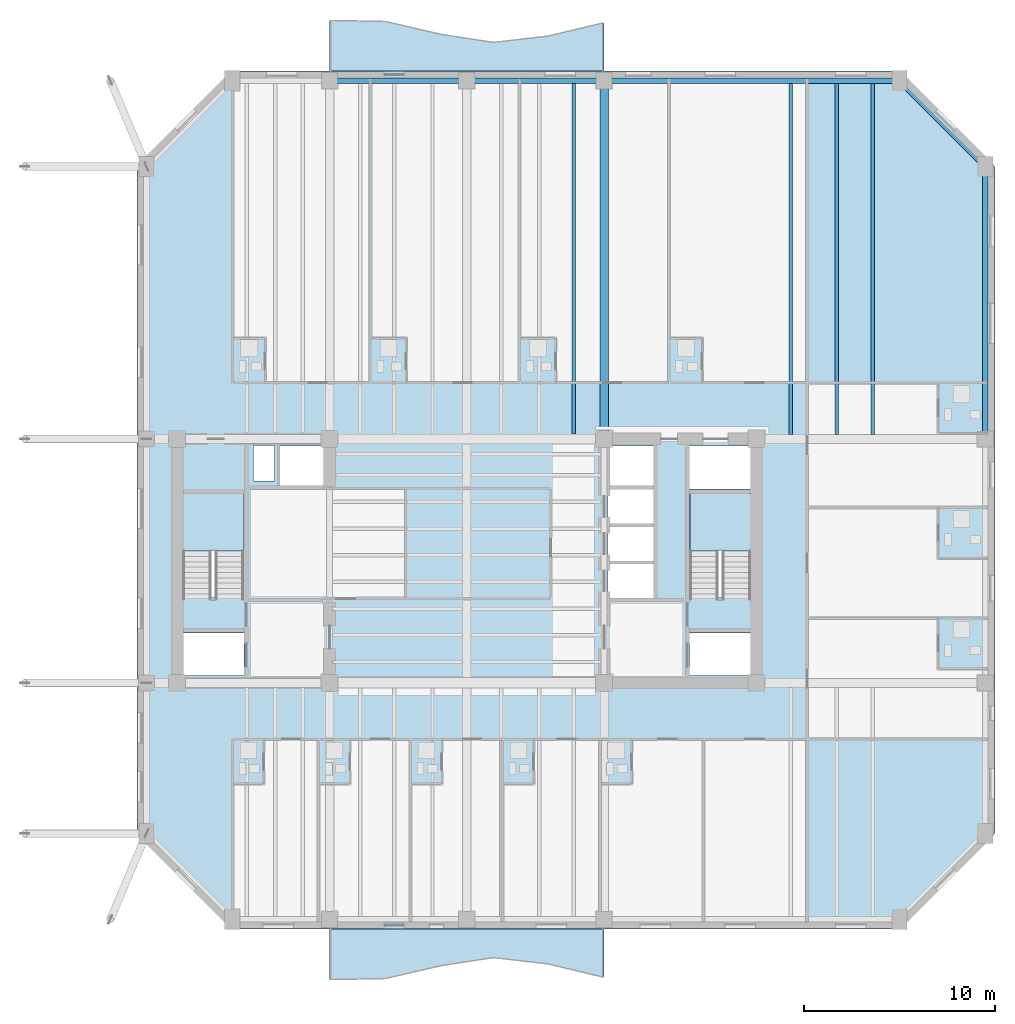
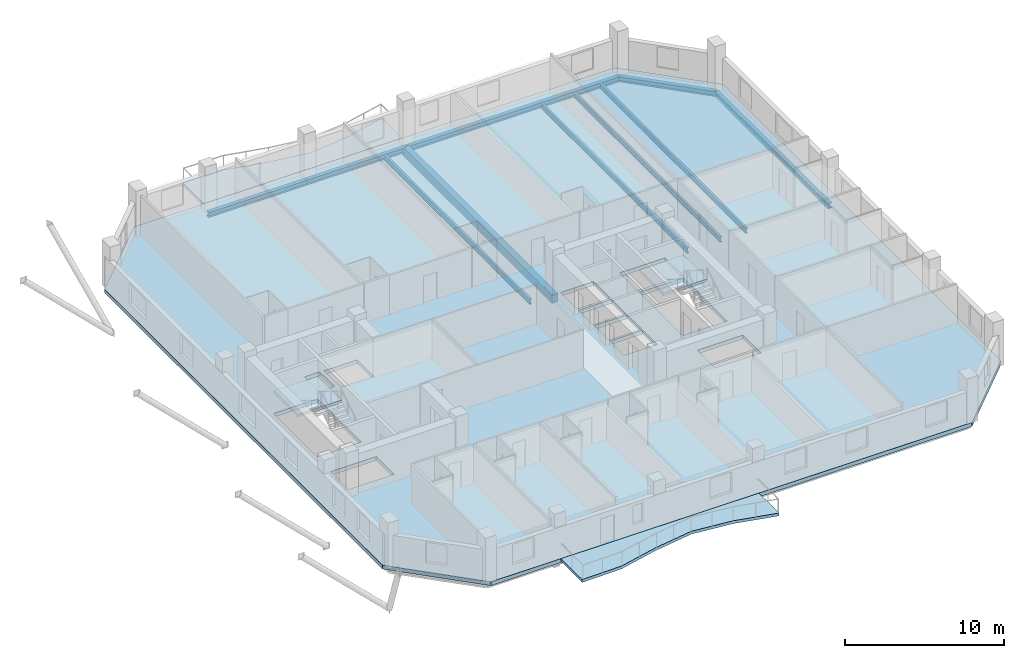
# One storey, part 2 of 13: 10 beams, 5 slabs, 2 elements without a shape of their own.
"""IFC4 building model written with IfcOpenShell, lengths in metres."""

from ifc_helpers import new_model, si_unit, direction, frame, origin, origin_2d, place, context, subcontext, project, spatial, polyline, rectangle, i_section, outline, extrude, material, layer, layer_set, material_profile, profile_set, type_object, element, aggregate, save


model = new_model("IFC4")

# Units and contexts
model_context = context("Model", 3, precision=1e-05, world=origin(), true_north=direction((0.0, 1.0)))
body_context = subcontext(model_context, "Body", "Model", "MODEL_VIEW")
ifc_project = project(units=[si_unit("LENGTHUNIT", "METRE"), si_unit("AREAUNIT", "SQUARE_METRE"), si_unit("VOLUMEUNIT", "CUBIC_METRE"), si_unit("PLANEANGLEUNIT", "RADIAN"), si_unit("MASSUNIT", "GRAM", prefix="KILO")], contexts=[model_context])

# Site, building, storey
site_placement = place(None, origin())
site = spatial("IfcSite", under=ifc_project, at=site_placement, CompositionType="ELEMENT")
building_placement = place(site_placement, origin())
building = spatial("IfcBuilding", under=site, at=building_placement, Name="Kranthara Brick Stack", CompositionType="ELEMENT")
storey_placement = place(building_placement, frame((0.0, 0.0, 179.800048828125)))
storey = spatial("IfcBuildingStorey", under=building, at=storey_placement, Name="L46", CompositionType="ELEMENT", Elevation=179.800048828125)

# Beams
ifc_material_1 = material(Name="Post-tensioned concrete C45/55", Category="concrete")
ifc_material_profile_1 = material_profile(ifc_material_1, rectangle(XDim=0.449951171875, YDim=0.64990234375, at=origin_2d()), Name="PT 450x650")
ifc_profile_set_1 = profile_set([ifc_material_profile_1], Name="Post-tensioned concrete C45/55")
beam_type_1 = type_object("IfcBeamType", Name="BM-FLR-PT650", PredefinedType="BEAM", material=ifc_profile_set_1)
beam_1_placement = place(storey_placement, frame((35.199951171875, 33.60009765625, -0.625), z_axis=(0.0, 1.0, 0.0), x_axis=(-1.0, 0.0, 0.0)))
element("IfcBeam", 1, at=beam_1_placement, inside=storey, type_object=beam_type_1, Name="L46 Primary Grid Girder 029", PredefinedType="BEAM", context=body_context, shape_type="SweptSolid", body=[
    extrude(rectangle(XDim=0.449951171875, YDim=0.64990234375, at=origin_2d()), origin(), (0.0, 0.0, 1.0), 18.7998046875),
])
ifc_material_2 = material(Name="Steel S355", Category="steel")
ifc_material_profile_2 = material_profile(ifc_material_2, i_section(OverallWidth=0.179931640625, OverallDepth=0.39990234375, WebThickness=0.008544921875, FlangeThickness=0.013427734375, at=origin_2d()), Name="IPE 400")
ifc_profile_set_2 = profile_set([ifc_material_profile_2], Name="Steel S355")
beam_type_2 = type_object("IfcBeamType", Name="BM-JST-IPE400", PredefinedType="JOIST", material=ifc_profile_set_2)
beam_2_placement = place(storey_placement, frame((33.60009765625, 33.875, -0.5), z_axis=(0.0, 1.0, 0.0), x_axis=(-1.0, 0.0, 0.0)))
element("IfcBeam", 2, at=beam_2_placement, inside=storey, type_object=beam_type_2, Name="L46 North Wing Floor Joist 069", PredefinedType="JOIST", context=body_context, shape_type="SweptSolid", body=[
    extrude(i_section(OverallWidth=0.179931640625, OverallDepth=0.39990234375, WebThickness=0.008544921875, FlangeThickness=0.013427734375, at=origin_2d()), origin(), (0.0, 0.0, 1.0), 18.375),
])
for number, where, z_axis, x_axis, name in (
    (3, (45.0, 33.824951171875, -0.5), (0.0, 1.0, 0.0), (-1.0, 0.0, 0.0), "L46 North Wing Floor Joist 071"),
    (4, (47.39990234375, 33.824951171875, -0.5), (0.0, 1.0, 0.0), (-1.0, 0.0, 0.0), "L46 North Wing Floor Joist 073"),
    (5, (49.300048828125, 33.824951171875, -0.5), (0.0, 1.0, 0.0), (-1.0, 0.0, 0.0), "L46 North Wing Floor Joist 075"),
):
    element("IfcBeam", number, at=place(storey_placement, frame(where, z_axis=z_axis, x_axis=x_axis)), inside=storey, type_object=beam_type_2, Name=name, PredefinedType="JOIST", context=body_context, shape_type="SweptSolid", body=[
        extrude(i_section(OverallWidth=0.179931640625, OverallDepth=0.39990234375, WebThickness=0.008544921875, FlangeThickness=0.013427734375, at=origin_2d()), origin(), (0.0, 0.0, 1.0), 18.425048828125),
    ])
ifc_material_3 = material(Name="Steel S355", Category="steel")
ifc_material_profile_3 = material_profile(ifc_material_3, i_section(OverallWidth=0.300048828125, OverallDepth=0.39990234375, WebThickness=0.013427734375, FlangeThickness=0.02392578125, at=origin_2d()), Name="HEB 400")
ifc_profile_set_3 = profile_set([ifc_material_profile_3], Name="Steel S355")
beam_type_3 = type_object("IfcBeamType", Name="BM-STL-HEB400", PredefinedType="SPANDREL", material=ifc_profile_set_3)
for number, where, z_axis, x_axis, name in (
    (6, (20.800048828125, 52.39990234375, -0.5), (1.0, 0.0, 0.0), (0.0, 1.0, 0.0), "L46 Perimeter Spandrel Beam 010"),
    (7, (28.0, 52.39990234375, -0.5), (1.0, 0.0, 0.0), (0.0, 1.0, 0.0), "L46 Perimeter Spandrel Beam 011"),
):
    element("IfcBeam", number, at=place(storey_placement, frame(where, z_axis=z_axis, x_axis=x_axis)), inside=storey, type_object=beam_type_3, Name=name, PredefinedType="SPANDREL", context=body_context, shape_type="SweptSolid", body=[
        extrude(i_section(OverallWidth=0.300048828125, OverallDepth=0.39990234375, WebThickness=0.013427734375, FlangeThickness=0.02392578125, at=origin_2d()), origin(), (0.0, 0.0, 1.0), 7.199951171875),
    ])
beam_3_placement = place(storey_placement, frame((35.199951171875, 52.39990234375, -0.5), z_axis=(1.0, 0.0, 0.0), x_axis=(0.0, 1.0, 0.0)))
element("IfcBeam", 8, at=beam_3_placement, inside=storey, type_object=beam_type_3, Name="L46 Perimeter Spandrel Beam 012", PredefinedType="SPANDREL", context=body_context, shape_type="SweptSolid", body=[
    extrude(i_section(OverallWidth=0.300048828125, OverallDepth=0.39990234375, WebThickness=0.013427734375, FlangeThickness=0.02392578125, at=origin_2d()), origin(), (0.0, 0.0, 1.0), 15.5),
])
beam_4_placement = place(storey_placement, frame((55.199951171875, 33.60009765625, -0.5), z_axis=(0.0, 1.0, 0.0), x_axis=(-1.0, 0.0, 0.0)))
element("IfcBeam", 9, at=beam_4_placement, inside=storey, type_object=beam_type_3, Name="L46 Perimeter Spandrel Beam 018", PredefinedType="SPANDREL", context=body_context, shape_type="SweptSolid", body=[
    extrude(i_section(OverallWidth=0.300048828125, OverallDepth=0.39990234375, WebThickness=0.013427734375, FlangeThickness=0.02392578125, at=origin_2d()), origin(), (0.0, 0.0, 1.0), 14.2998046875),
])
beam_5_placement = place(storey_placement, frame((50.699951171875, 52.39990234375, -0.5), z_axis=(0.707106781187, -0.707106781187, 0.0), x_axis=(0.707106781187, 0.707106781187, 0.0)))
element("IfcBeam", 10, at=beam_5_placement, inside=storey, type_object=beam_type_3, Name="L46 Chamfer Corner Spandrel 022", PredefinedType="SPANDREL", context=body_context, shape_type="SweptSolid", body=[
    extrude(i_section(OverallWidth=0.300048828125, OverallDepth=0.39990234375, WebThickness=0.013427734375, FlangeThickness=0.02392578125, at=origin_2d()), origin(), (0.0, 0.0, 1.0), 6.364013671875),
])

# Slabs
ifc_material_4 = material(Name="Concrete C45/55", Category="concrete")
ifc_layer_1 = layer(ifc_material_4, 0.219970703125)
ifc_layer_set_1 = layer_set([ifc_layer_1], Name="Concrete C45/55")
slab_type_1 = type_object("IfcSlabType", Name="SLB-BALC-220", PredefinedType="FLOOR", material=ifc_layer_set_1)
slab_1_placement = place(storey_placement, frame((0.0, 0.0, -0.219970703125)))
element("IfcSlab", 11, at=slab_1_placement, inside=storey, type_object=slab_type_1, Name="L46 South Rippling Balcony Slab", PredefinedType="FLOOR", context=body_context, shape_type="SweptSolid", body=[
    extrude(outline(polyline([(20.800048828125, 7.89990234375), (35.199951171875, 7.89990234375), (35.199951171875, 5.364501953125), (32.320068359375, 6.060302734375), (29.43994140625, 6.397216796875), (26.56005859375, 5.95166015625), (23.679931640625, 5.283935546875), (20.800048828125, 5.233642578125), (20.800048828125, 7.89990234375)])), origin(), (0.0, 0.0, 1.0), 0.219970703125),
])
slab_2_placement = place(storey_placement, frame((0.0, 0.0, -0.219970703125)))
element("IfcSlab", 12, at=slab_2_placement, inside=storey, type_object=slab_type_1, Name="L46 North Rippling Balcony Slab", PredefinedType="FLOOR", context=body_context, shape_type="SweptSolid", body=[
    extrude(outline(polyline([(35.199951171875, 52.89990234375), (20.800048828125, 52.89990234375), (20.800048828125, 55.566162109375), (23.679931640625, 55.51611328125), (26.56005859375, 54.848388671875), (29.43994140625, 54.40283203125), (32.320068359375, 54.73974609375), (35.199951171875, 55.435546875), (35.199951171875, 52.89990234375)])), origin(), (0.0, 0.0, 1.0), 0.219970703125),
])

# Stair, slab
ifc_material_5 = material(Name="Concrete C45/55", Category="concrete")
stair_type = type_object("IfcStairType", Name="ST-CORE-20R", PredefinedType="HALF_TURN_STAIR", material=ifc_material_5)
stair_1_placement = place(storey_placement, origin())
stair_1 = element("IfcStair", 13, at=stair_1_placement, inside=storey, type_object=stair_type, Name="L46 West Core Protected Exit Stair ST01", PredefinedType="HALF_TURN_STAIR")
ifc_material_6 = material(Name="Concrete C45/55", Category="concrete")
ifc_layer_2 = layer(ifc_material_6, 0.199951171875)
ifc_layer_set_2 = layer_set([ifc_layer_2], Name="Concrete C45/55")
slab_type_2 = type_object("IfcSlabType", Name="SLB-LANDING-200", PredefinedType="LANDING", material=ifc_layer_set_2)
slab_3_placement = place(storey_placement, frame((0.0, 0.0, 1.550048828125)))
slab_3 = element("IfcSlab", 14, at=slab_3_placement, type_object=slab_type_2, Name="ST01 landing 1", PredefinedType="LANDING", context=body_context, shape_type="SweptSolid", body=[
    extrude(outline(polyline([(16.300048828125, 27.719970703125), (16.300048828125, 30.75), (13.10009765625, 30.75), (13.10009765625, 27.719970703125), (16.300048828125, 27.719970703125)])), origin(), (0.0, 0.0, 1.0), 0.199951171875),
])
aggregate(stair_1, [slab_3])

stair_2_placement = place(storey_placement, origin())
stair_2 = element("IfcStair", 15, at=stair_2_placement, inside=storey, type_object=stair_type, Name="L46 East Core Protected Exit Stair ST02", PredefinedType="HALF_TURN_STAIR")
slab_4_placement = place(storey_placement, frame((0.0, 0.0, 1.550048828125)))
slab_4 = element("IfcSlab", 16, at=slab_4_placement, type_object=slab_type_2, Name="ST02 landing 1", PredefinedType="LANDING", context=body_context, shape_type="SweptSolid", body=[
    extrude(outline(polyline([(42.89990234375, 27.719970703125), (42.89990234375, 30.75), (39.699951171875, 30.75), (39.699951171875, 27.719970703125), (42.89990234375, 27.719970703125)])), origin(), (0.0, 0.0, 1.0), 0.199951171875),
])
aggregate(stair_2, [slab_4])

# Slab
ifc_material_7 = material(Name="Post-tensioned concrete C45/55", Category="concrete")
ifc_layer_3 = layer(ifc_material_7, 0.300048828125)
ifc_layer_set_3 = layer_set([ifc_layer_3], Name="Post-tensioned concrete C45/55")
slab_type_3 = type_object("IfcSlabType", Name="SLB-TWR-300", PredefinedType="FLOOR", material=ifc_layer_set_3)
slab_5_placement = place(storey_placement, frame((0.0, 0.0, -0.300048828125)))
element("IfcSlab", 17, at=slab_5_placement, inside=storey, type_object=slab_type_3, Name="L46 Structural Floor Plate", PredefinedType="FLOOR", context=body_context, shape_type="SweptSolid", body=[
    extrude(outline(polyline([(15.699951171875, 7.89990234375), (50.699951171875, 7.89990234375), (55.699951171875, 12.89990234375), (55.699951171875, 47.89990234375), (50.699951171875, 52.89990234375), (15.699951171875, 52.89990234375), (10.699951171875, 47.89990234375), (10.699951171875, 12.89990234375), (15.699951171875, 7.89990234375)]), holes=[polyline([(13.10009765625, 25.280029296875), (16.300048828125, 25.280029296875), (16.300048828125, 30.75), (13.10009765625, 30.75), (13.10009765625, 25.280029296875)]), polyline([(39.699951171875, 25.280029296875), (42.89990234375, 25.280029296875), (42.89990234375, 30.75), (39.699951171875, 30.75), (39.699951171875, 25.280029296875)]), polyline([(13.0, 21.179931640625), (16.320068359375, 21.179931640625), (16.320068359375, 23.419921875), (13.0, 23.419921875), (13.0, 21.179931640625)]), polyline([(39.679931640625, 21.179931640625), (43.0, 21.179931640625), (43.0, 23.419921875), (39.679931640625, 23.419921875), (39.679931640625, 21.179931640625)]), polyline([(39.679931640625, 30.97998046875), (43.0, 30.97998046875), (43.0, 33.219970703125), (39.679931640625, 33.219970703125), (39.679931640625, 30.97998046875)]), polyline([(35.39990234375, 25.25), (37.800048828125, 25.25), (37.800048828125, 27.050048828125), (35.39990234375, 27.050048828125), (35.39990234375, 25.25)]), polyline([(35.39990234375, 27.199951171875), (37.800048828125, 27.199951171875), (37.800048828125, 29.0), (35.39990234375, 29.0), (35.39990234375, 27.199951171875)]), polyline([(35.39990234375, 29.14990234375), (37.800048828125, 29.14990234375), (37.800048828125, 30.949951171875), (35.39990234375, 30.949951171875), (35.39990234375, 29.14990234375)]), polyline([(18.199951171875, 31.14990234375), (20.60009765625, 31.14990234375), (20.60009765625, 33.219970703125), (18.199951171875, 33.219970703125), (18.199951171875, 31.14990234375)]), polyline([(35.39990234375, 31.14990234375), (37.800048828125, 31.14990234375), (37.800048828125, 33.219970703125), (35.39990234375, 33.219970703125), (35.39990234375, 31.14990234375)]), polyline([(16.800048828125, 31.39990234375), (17.89990234375, 31.39990234375), (17.89990234375, 33.25), (16.800048828125, 33.25), (16.800048828125, 31.39990234375)])]), origin(), (0.0, 0.0, 1.0), 0.300048828125),
])

save(model, "model.ifc")
